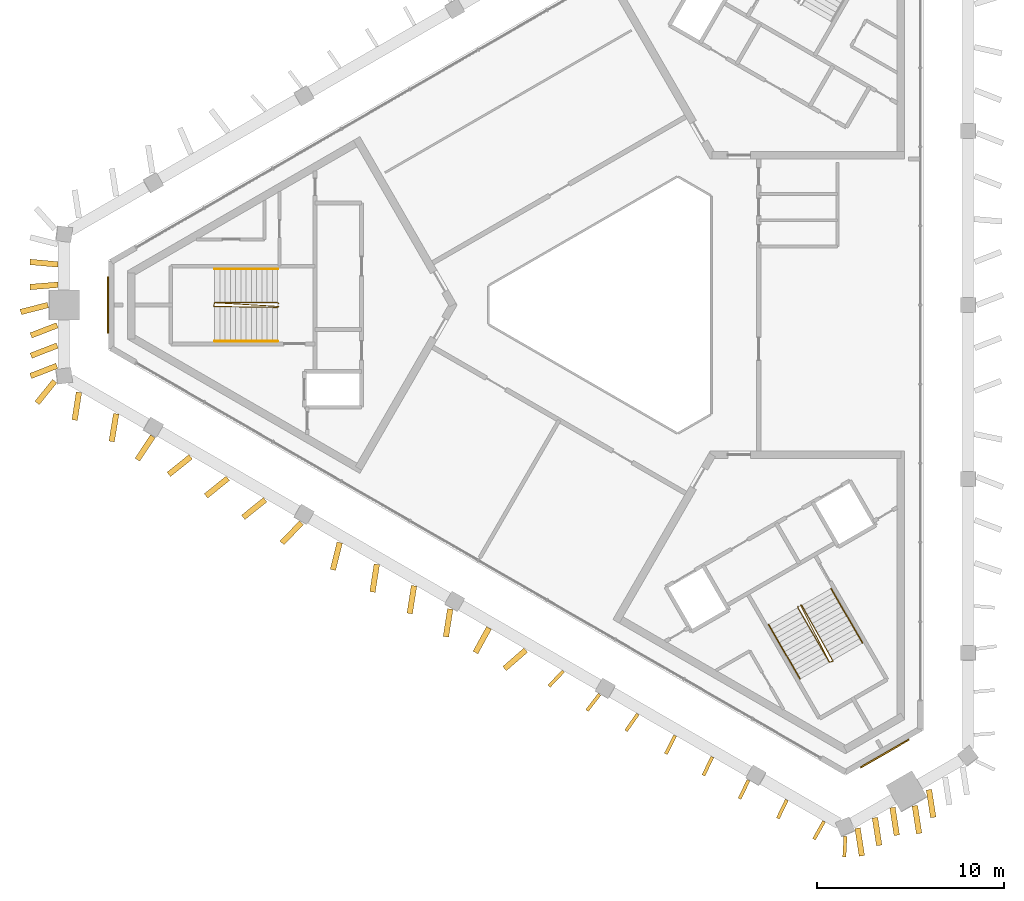
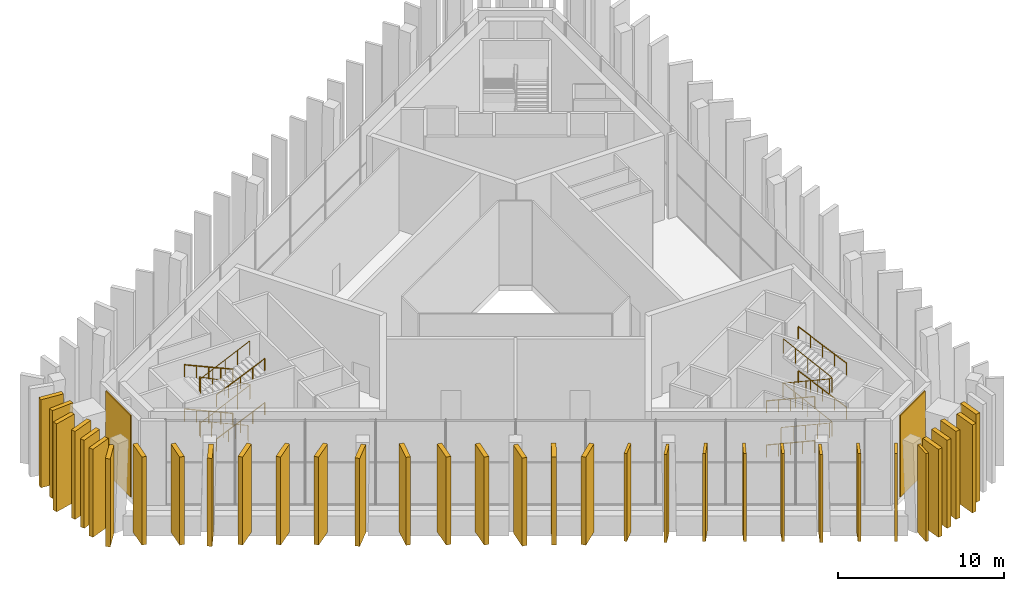
# One storey, part 12 of 13: 34 shading devices, 10 railings, 2 coverings.
"""IFC4 building model written with IfcOpenShell, lengths in metres."""

from ifc_helpers import new_model, si_unit, direction, frame, frame_2d, origin, origin_2d, place, context, subcontext, project, spatial, rectangle, circle, extrude, material, layer, layer_set, type_object, element, save


model = new_model("IFC4")

# Units and contexts
model_context = context("Model", 3, precision=1e-05, world=origin(), true_north=direction((0.0, 1.0)))
body_context = subcontext(model_context, "Body", "Model", "MODEL_VIEW")
ifc_project = project(units=[si_unit("LENGTHUNIT", "METRE"), si_unit("AREAUNIT", "SQUARE_METRE"), si_unit("VOLUMEUNIT", "CUBIC_METRE"), si_unit("PLANEANGLEUNIT", "RADIAN"), si_unit("MASSUNIT", "GRAM", prefix="KILO")], contexts=[model_context])

# Site, building, storey
site_placement = place(None, origin())
site = spatial("IfcSite", under=ifc_project, at=site_placement, CompositionType="ELEMENT")
building_placement = place(site_placement, origin())
building = spatial("IfcBuilding", under=site, at=building_placement, Name="Jabali Bay Hotel Tower and Convention Centre", CompositionType="ELEMENT")
storey_placement = place(building_placement, frame((0.0, 0.0, 315.800048828125)))
storey = spatial("IfcBuildingStorey", under=building, at=storey_placement, Name="L77", CompositionType="ELEMENT", Elevation=315.800048828125)

# Shading devices
ifc_material_1 = material(Name="Precast concrete C60", Category="concrete")
ifc_layer_1 = layer(ifc_material_1, 0.179931640625)
ifc_layer_set_1 = layer_set([ifc_layer_1], Name="Precast concrete C60")
shading_device_type_1 = type_object("IfcShadingDeviceType", Name="Precast fin 6480 x 1100", PredefinedType="USERDEFINED", material=ifc_layer_set_1)
shading_device_1_placement = place(storey_placement, frame((71.6640625, 60.4560546875, 0.010009765625), z_axis=(0.0, 0.0, 1.0), x_axis=(-0.688673631759, -0.725071464698, 0.0)))
element("IfcShadingDevice", 1, at=shading_device_1_placement, inside=storey, type_object=shading_device_type_1, Name="Fin L77 069", ObjectType="FIN", PredefinedType="USERDEFINED", context=body_context, shape_type="SweptSolid", body=[
    extrude(rectangle(XDim=1.10009765625, YDim=0.179931640625, at=frame_2d((0.550048828125, 0.0))), origin(), (0.0, 0.0, 1.0), 6.47998046875),
])
shading_device_2_placement = place(storey_placement, frame((73.601806640625, 59.2236328125, 0.010009765625), z_axis=(0.0, 0.0, 1.0), x_axis=(-0.610847187473, -0.791748516612, 0.0)))
element("IfcShadingDevice", 2, at=shading_device_2_placement, inside=storey, type_object=shading_device_type_1, Name="Fin L77 070", ObjectType="FIN", PredefinedType="USERDEFINED", context=body_context, shape_type="SweptSolid", body=[
    extrude(rectangle(XDim=1.099853515625, YDim=0.179931640625, at=frame_2d((0.5498046875, 0.0))), origin(), (0.0, 0.0, 1.0), 6.47998046875),
])
for number, where, z_axis, x_axis, name in (
    (3, (75.644775390625, 58.17333984375, 0.010009765625), (0.0, 0.0, 1.0), (-0.573000538038, -0.819554991082, 0.0), "Fin L77 071"),
    (4, (77.633056640625, 57.0283203125, 0.010009765625), (0.0, 0.0, 1.0), (-0.449431634171, -0.893314729648, 0.0), "Fin L77 072"),
):
    element("IfcShadingDevice", number, at=place(storey_placement, frame(where, z_axis=z_axis, x_axis=x_axis)), inside=storey, type_object=shading_device_type_1, Name=name, ObjectType="FIN", PredefinedType="USERDEFINED", context=body_context, shape_type="SweptSolid", body=[
        extrude(rectangle(XDim=1.10009765625, YDim=0.179931640625, at=frame_2d((0.550048828125, 0.0))), origin(), (0.0, 0.0, 1.0), 6.47998046875),
    ])
for number, where, z_axis, x_axis, name in (
    (5, (79.619140625, 55.879638671875, 0.010009765625), (0.0, 0.0, 1.0), (-0.43304132225, -0.901374069532, 0.0), "Fin L77 073"),
    (6, (81.55224609375, 54.639404296875, 0.010009765625), (0.0, 0.0, 1.0), (-0.433755548806, -0.901030589869, 0.0), "Fin L77 074"),
):
    element("IfcShadingDevice", number, at=place(storey_placement, frame(where, z_axis=z_axis, x_axis=x_axis)), inside=storey, type_object=shading_device_type_1, Name=name, ObjectType="FIN", PredefinedType="USERDEFINED", context=body_context, shape_type="SweptSolid", body=[
        extrude(rectangle(XDim=1.099853515625, YDim=0.179931640625, at=frame_2d((0.5498046875, 0.0))), origin(), (0.0, 0.0, 1.0), 6.47998046875),
    ])
shading_device_3_placement = place(storey_placement, frame((83.593017578125, 53.58544921875, 0.010009765625), z_axis=(0.0, 0.0, 1.0), x_axis=(-0.434115881841, -0.900857037011, 0.0)))
element("IfcShadingDevice", 7, at=shading_device_3_placement, inside=storey, type_object=shading_device_type_1, Name="Fin L77 075", ObjectType="FIN", PredefinedType="USERDEFINED", context=body_context, shape_type="SweptSolid", body=[
    extrude(rectangle(XDim=1.10009765625, YDim=0.179931640625, at=frame_2d((0.550048828125, 0.0))), origin(), (0.0, 0.0, 1.0), 6.47998046875),
])
shading_device_4_placement = place(storey_placement, frame((85.582763671875, 52.443115234375, 0.010009765625), z_axis=(0.0, 0.0, 1.0), x_axis=(-0.488975058129, -0.872297765977, 0.0)))
element("IfcShadingDevice", 8, at=shading_device_4_placement, inside=storey, type_object=shading_device_type_1, Name="Fin L77 076", ObjectType="FIN", PredefinedType="USERDEFINED", context=body_context, shape_type="SweptSolid", body=[
    extrude(rectangle(XDim=1.099853515625, YDim=0.179931640625, at=frame_2d((0.5498046875, 0.0))), origin(), (0.0, 0.0, 1.0), 6.47998046875),
])
shading_device_5_placement = place(storey_placement, frame((86.72314453125, 51.647705078125, 0.010009765625), z_axis=(0.0, 0.0, 1.0), x_axis=(-0.051929838256, -0.998650735692, 0.0)))
element("IfcShadingDevice", 9, at=shading_device_5_placement, inside=storey, type_object=shading_device_type_1, Name="Fin L77 089", ObjectType="FIN", PredefinedType="USERDEFINED", context=body_context, shape_type="SweptSolid", body=[
    extrude(rectangle(XDim=1.10009765625, YDim=0.179931640625, at=frame_2d((0.550048828125, 0.0))), origin(), (0.0, 0.0, 1.0), 6.47998046875),
])
ifc_layer_2 = layer(ifc_material_1, 0.300048828125)
ifc_layer_set_2 = layer_set([ifc_layer_2], Name="Precast concrete C60")
shading_device_type_2 = type_object("IfcShadingDeviceType", Name="Precast fin 6480 x 1500", PredefinedType="USERDEFINED", material=ifc_layer_set_2)
for number, where, z_axis, x_axis, name in (
    (10, (44.696533203125, 82.163330078125, 0.010009765625), (0.0, 0.0, 1.0), (-0.995808739335, 0.091460126084, 0.0), "Fin L77 050"),
    (11, (44.6982421875, 81.08154296875, 0.010009765625), (0.0, 0.0, 1.0), (-0.996815278536, -0.079745222283, 0.0), "Fin L77 051"),
    (12, (44.16015625, 80.0, 0.010009765625), (0.0, 0.0, 1.0), (-0.968503025559, -0.249001786104, 0.0), "Fin L77 052"),
):
    element("IfcShadingDevice", number, at=place(storey_placement, frame(where, z_axis=z_axis, x_axis=x_axis)), inside=storey, type_object=shading_device_type_2, Name=name, ObjectType="FIN", PredefinedType="USERDEFINED", context=body_context, shape_type="SweptSolid", body=[
        extrude(rectangle(XDim=1.500244140625, YDim=0.300048828125, at=frame_2d((0.75, 0.0))), origin(), (0.0, 0.0, 1.0), 6.47998046875),
    ])
for number, where, z_axis, x_axis, name in (
    (13, (44.65576171875, 78.91845703125, 0.010009765625), (0.0, 0.0, 1.0), (-0.932233597441, -0.361857043323, 0.0), "Fin L77 053"),
    (14, (44.65576171875, 77.836669921875, 0.010009765625), (0.0, 0.0, 1.0), (-0.932233597441, -0.361857043323, 0.0), "Fin L77 054"),
    (15, (44.635498046875, 76.755126953125, 0.010009765625), (0.0, 0.0, 1.0), (-0.932233597441, -0.361857043323, 0.0), "Fin L77 055"),
):
    element("IfcShadingDevice", number, at=place(storey_placement, frame(where, z_axis=z_axis, x_axis=x_axis)), inside=storey, type_object=shading_device_type_2, Name=name, ObjectType="FIN", PredefinedType="USERDEFINED", context=body_context, shape_type="SweptSolid", body=[
        extrude(rectangle(XDim=1.499755859375, YDim=0.300048828125, at=frame_2d((0.75, 0.0))), origin(), (0.0, 0.0, 1.0), 6.47998046875),
    ])
for number, where, z_axis, x_axis, name in (
    (16, (45.817138671875, 75.340576171875, 0.010009765625), (0.0, 0.0, 1.0), (-0.152827640661, -0.988252858458, 0.0), "Fin L77 056"),
    (17, (47.8046875, 74.194580078125, 0.010009765625), (0.0, 0.0, 1.0), (-0.162102399146, -0.986773941788, 0.0), "Fin L77 057"),
    (18, (49.759765625, 72.9921875, 0.010009765625), (0.0, 0.0, 1.0), (-0.552068291916, -0.833798897254, 0.0), "Fin L77 058"),
):
    element("IfcShadingDevice", number, at=place(storey_placement, frame(where, z_axis=z_axis, x_axis=x_axis)), inside=storey, type_object=shading_device_type_2, Name=name, ObjectType="FIN", PredefinedType="USERDEFINED", context=body_context, shape_type="SweptSolid", body=[
        extrude(rectangle(XDim=1.5, YDim=0.300048828125, at=frame_2d((0.75, 0.0))), origin(), (0.0, 0.0, 1.0), 6.47998046875),
    ])
shading_device_6_placement = place(storey_placement, frame((51.77783203125, 71.89892578125, 0.010009765625), z_axis=(0.0, 0.0, 1.0), x_axis=(-0.77953306199, -0.626361082176, 0.0)))
element("IfcShadingDevice", 19, at=shading_device_6_placement, inside=storey, type_object=shading_device_type_2, Name="Fin L77 059", ObjectType="FIN", PredefinedType="USERDEFINED", context=body_context, shape_type="SweptSolid", body=[
    extrude(rectangle(XDim=1.499755859375, YDim=0.300048828125, at=frame_2d((0.75, 0.0))), origin(), (0.0, 0.0, 1.0), 6.47998046875),
])
shading_device_7_placement = place(storey_placement, frame((53.764892578125, 70.751953125, 0.010009765625), z_axis=(0.0, 0.0, 1.0), x_axis=(-0.779453585439, -0.626459981281, 0.0)))
element("IfcShadingDevice", 20, at=shading_device_7_placement, inside=storey, type_object=shading_device_type_2, Name="Fin L77 060", ObjectType="FIN", PredefinedType="USERDEFINED", context=body_context, shape_type="SweptSolid", body=[
    extrude(rectangle(XDim=1.5, YDim=0.300048828125, at=frame_2d((0.75, 0.0))), origin(), (0.0, 0.0, 1.0), 6.47998046875),
])
shading_device_8_placement = place(storey_placement, frame((55.751953125, 69.604736328125, 0.010009765625), z_axis=(0.0, 0.0, 1.0), x_axis=(-0.779517448458, -0.626380513385, 0.0)))
element("IfcShadingDevice", 21, at=shading_device_8_placement, inside=storey, type_object=shading_device_type_2, Name="Fin L77 061", ObjectType="FIN", PredefinedType="USERDEFINED", context=body_context, shape_type="SweptSolid", body=[
    extrude(rectangle(XDim=1.500244140625, YDim=0.300048828125, at=frame_2d((0.75, 0.0))), origin(), (0.0, 0.0, 1.0), 6.47998046875),
])
shading_device_9_placement = place(storey_placement, frame((57.69384765625, 68.379638671875, 0.010009765625), z_axis=(0.0, 0.0, 1.0), x_axis=(-0.696778506626, -0.717286353352, 0.0)))
element("IfcShadingDevice", 22, at=shading_device_9_placement, inside=storey, type_object=shading_device_type_2, Name="Fin L77 062", ObjectType="FIN", PredefinedType="USERDEFINED", context=body_context, shape_type="SweptSolid", body=[
    extrude(rectangle(XDim=1.5, YDim=0.300048828125, at=frame_2d((0.75, 0.0))), origin(), (0.0, 0.0, 1.0), 6.47998046875),
])
for number, where, z_axis, x_axis, name in (
    (23, (59.732177734375, 67.321533203125, 0.010009765625), (0.0, 0.0, 1.0), (-0.242382415413, -0.970180789698, 0.0), "Fin L77 063"),
    (24, (61.712646484375, 66.1630859375, 0.010009765625), (0.0, 0.0, 1.0), (-0.15285222595, -0.988249056171, 0.0), "Fin L77 064"),
):
    element("IfcShadingDevice", number, at=place(storey_placement, frame(where, z_axis=z_axis, x_axis=x_axis)), inside=storey, type_object=shading_device_type_2, Name=name, ObjectType="FIN", PredefinedType="USERDEFINED", context=body_context, shape_type="SweptSolid", body=[
        extrude(rectangle(XDim=1.499755859375, YDim=0.300048828125, at=frame_2d((0.75, 0.0))), origin(), (0.0, 0.0, 1.0), 6.47998046875),
    ])
for number, where, z_axis, x_axis, name in (
    (25, (63.69970703125, 65.01611328125, 0.010009765625), (0.0, 0.0, 1.0), (-0.152986589099, -0.988228264904, 0.0), "Fin L77 065"),
    (26, (65.633056640625, 63.77587890625, 0.010009765625), (0.0, 0.0, 1.0), (-0.154307364521, -0.988022893082, 0.0), "Fin L77 066"),
    (27, (67.69921875, 62.765869140625, 0.010009765625), (0.0, 0.0, 1.0), (-0.481256360099, -0.876579897022, 0.0), "Fin L77 067"),
    (28, (69.663330078125, 61.579345703125, 0.010009765625), (0.0, 0.0, 1.0), (-0.753795470059, -0.65710911523, 0.0), "Fin L77 068"),
    (29, (87.3720703125, 52.081298828125, 0.010009765625), (0.0, 0.0, 1.0), (0.152827640661, -0.988252858458, 0.0), "Fin L77 077"),
    (30, (88.298583984375, 52.6396484375, 0.010009765625), (0.0, 0.0, 1.0), (0.152827640661, -0.988252858458, 0.0), "Fin L77 078"),
    (31, (89.2353515625, 53.180419921875, 0.010009765625), (0.0, 0.0, 1.0), (0.152827640661, -0.988252858458, 0.0), "Fin L77 079"),
):
    element("IfcShadingDevice", number, at=place(storey_placement, frame(where, z_axis=z_axis, x_axis=x_axis)), inside=storey, type_object=shading_device_type_2, Name=name, ObjectType="FIN", PredefinedType="USERDEFINED", context=body_context, shape_type="SweptSolid", body=[
        extrude(rectangle(XDim=1.5, YDim=0.300048828125, at=frame_2d((0.75, 0.0))), origin(), (0.0, 0.0, 1.0), 6.47998046875),
    ])
for number, where, z_axis, x_axis, name in (
    (32, (90.428466796875, 53.277099609375, 0.010009765625), (0.0, 0.0, 1.0), (0.1526932413, -0.988273633191, 0.0), "Fin L77 080"),
    (33, (91.182373046875, 54.13427734375, 0.010009765625), (0.0, 0.0, 1.0), (0.15285222595, -0.988249056171, 0.0), "Fin L77 081"),
):
    element("IfcShadingDevice", number, at=place(storey_placement, frame(where, z_axis=z_axis, x_axis=x_axis)), inside=storey, type_object=shading_device_type_2, Name=name, ObjectType="FIN", PredefinedType="USERDEFINED", context=body_context, shape_type="SweptSolid", body=[
        extrude(rectangle(XDim=1.499755859375, YDim=0.300048828125, at=frame_2d((0.75, 0.0))), origin(), (0.0, 0.0, 1.0), 6.47998046875),
    ])
shading_device_10_placement = place(storey_placement, frame((44.5234375, 75.94091796875, 0.010009765625), z_axis=(0.0, 0.0, 1.0), x_axis=(-0.626459981281, -0.779453585439, 0.0)))
element("IfcShadingDevice", 34, at=shading_device_10_placement, inside=storey, type_object=shading_device_type_2, Name="Fin L77 088", ObjectType="FIN", PredefinedType="USERDEFINED", context=body_context, shape_type="SweptSolid", body=[
    extrude(rectangle(XDim=1.5, YDim=0.300048828125, at=frame_2d((0.75, 0.0))), origin(), (0.0, 0.0, 1.0), 6.47998046875),
])

# Coverings
ifc_material_2 = material(Name="Precast concrete C40/50", Category="concrete")
ifc_layer_3 = layer(ifc_material_2, 0.080078125)
ifc_layer_set_3 = layer_set([ifc_layer_3], Name="Precast concrete C40/50")
covering_type = type_object("IfcCoveringType", Name="Relief panel 3000 x 6000", PredefinedType="CLADDING", material=ifc_layer_set_3)
for number, where, z_axis, x_axis, name in (
    (35, (47.35693359375, 80.0, 0.099853515625), (0.0, 0.0, 1.0), (0.0, 1.0, 0.0), "Relief panel L77"),
    (36, (88.821533203125, 56.060302734375, 0.099853515625), (0.0, 0.0, 1.0), (-0.866025407005, -0.499999994423, 0.0), "Relief panel L77"),
):
    element("IfcCovering", number, at=place(storey_placement, frame(where, z_axis=z_axis, x_axis=x_axis)), inside=storey, type_object=covering_type, Name=name, PredefinedType="CLADDING", context=body_context, shape_type="SweptSolid", body=[
        extrude(rectangle(XDim=3.0, YDim=0.080078125, at=origin_2d()), origin(), (0.0, 0.0, 1.0), 6.0),
    ])

# Railings
ifc_material_3 = material(Name="Steel Q355B", Category="steel")
railing_type_1 = type_object("IfcRailingType", Name="Stair guard 1100", PredefinedType="GUARDRAIL", material=ifc_material_3)
railing_1_placement = place(storey_placement, frame((56.469970703125, 80.074951171875, 0.0)))
element("IfcRailing", 37, at=railing_1_placement, inside=storey, type_object=railing_type_1, Name="L77 ST1 stair guard 1", PredefinedType="GUARDRAIL", context=body_context, shape_type="SweptSolid", body=[
    extrude(circle(Radius=0.02392578125, at=origin_2d()), frame((0.0, 0.0, 1.076171875), z_axis=(-0.34841279274, 0.34841279274, 0.870182194549), x_axis=(-0.707106781187, -0.707106781187, 0.0)), (0.0, 0.0, 1.0), 0.1435546875),
    extrude(circle(Radius=0.02392578125, at=origin_2d()), frame((-0.050048828125, 0.050048828125, 1.201171875), z_axis=(-0.913131707623, 0.0, 0.407664671678), x_axis=(0.0, -1.0, 0.0)), (0.0, 0.0, 1.0), 3.679443359375),
    extrude(circle(Radius=0.02392578125, at=origin_2d()), frame((-3.409912109375, 0.050048828125, 2.701171875), z_axis=(-0.242814311512, -0.970072785993, 0.0), x_axis=(0.970072785993, -0.242814311512, 0.0)), (0.0, 0.0, 1.0), 0.2060546875),
    extrude(circle(Radius=0.02392578125, at=origin_2d()), frame((-3.4599609375, -0.14990234375, 2.701171875), z_axis=(0.90265461063, -0.013248671524, 0.430161744709), x_axis=(0.014675873289, 0.999892303572, 0.0)), (0.0, 0.0, 1.0), 3.777587890625),
    extrude(circle(Radius=0.02392578125, at=origin_2d()), frame((-0.050048828125, -0.199951171875, 4.326171875), z_axis=(0.707106781187, 0.707106781187, 0.0), x_axis=(-0.707106781187, 0.707106781187, 0.0)), (0.0, 0.0, 1.0), 0.07080078125),
    extrude(circle(Radius=0.02392578125, at=origin_2d()), frame((0.0, -0.14990234375, 4.326171875), z_axis=(-0.901471725576, 0.052860696159, 0.429598038622), x_axis=(-0.058537665874, -0.998285200568, 0.0)), (0.0, 0.0, 1.0), 3.78271484375),
    extrude(circle(Radius=0.02392578125, at=origin_2d()), frame((-3.409912109375, 0.050048828125, 5.951171875), z_axis=(-0.242814311512, -0.970072785993, 0.0), x_axis=(0.970072785993, -0.242814311512, 0.0)), (0.0, 0.0, 1.0), 0.2060546875),
    extrude(circle(Radius=0.02392578125, at=origin_2d()), frame((-3.4599609375, -0.14990234375, 5.951171875), z_axis=(0.90265461063, -0.013248671524, 0.430161744709), x_axis=(0.014675873289, 0.999892303572, 0.0)), (0.0, 0.0, 1.0), 3.777587890625),
    extrude(circle(Radius=0.02099609375, at=origin_2d()), origin(), (0.0, 0.0, 1.0), 1.052001953125),
    extrude(circle(Radius=0.02099609375, at=origin_2d()), frame((-0.050048828125, 0.050048828125, 0.125)), (0.0, 0.0, 1.0), 1.052001953125),
    extrude(circle(Radius=0.02099609375, at=origin_2d()), frame((-0.89013671875, 0.050048828125, 0.5)), (0.0, 0.0, 1.0), 1.052001953125),
    extrude(circle(Radius=0.02099609375, at=origin_2d()), frame((-1.72998046875, 0.050048828125, 0.875)), (0.0, 0.0, 1.0), 1.052001953125),
    extrude(circle(Radius=0.02099609375, at=origin_2d()), frame((-2.56982421875, 0.050048828125, 1.25)), (0.0, 0.0, 1.0), 1.052001953125),
    extrude(circle(Radius=0.02099609375, at=origin_2d()), frame((-3.409912109375, 0.050048828125, 1.625)), (0.0, 0.0, 1.0), 1.052001953125),
    extrude(circle(Radius=0.02099609375, at=origin_2d()), frame((-3.4599609375, -0.14990234375, 1.625)), (0.0, 0.0, 1.0), 1.052001953125),
    extrude(circle(Radius=0.02099609375, at=origin_2d()), frame((-2.607421875, -0.162353515625, 2.03125)), (0.0, 0.0, 1.0), 1.052001953125),
    extrude(circle(Radius=0.02099609375, at=origin_2d()), frame((-1.7548828125, -0.1748046875, 2.4375)), (0.0, 0.0, 1.0), 1.052001953125),
    extrude(circle(Radius=0.02099609375, at=origin_2d()), frame((-0.902587890625, -0.1875, 2.84375)), (0.0, 0.0, 1.0), 1.052001953125),
    extrude(circle(Radius=0.02099609375, at=origin_2d()), frame((-0.050048828125, -0.199951171875, 3.25)), (0.0, 0.0, 1.0), 1.052001953125),
    extrude(circle(Radius=0.02099609375, at=origin_2d()), frame((0.0, -0.14990234375, 3.25)), (0.0, 0.0, 1.0), 1.052001953125),
    extrude(circle(Radius=0.02099609375, at=origin_2d()), frame((-0.8525390625, -0.099853515625, 3.65625)), (0.0, 0.0, 1.0), 1.052001953125),
    extrude(circle(Radius=0.02099609375, at=origin_2d()), frame((-1.705078125, -0.0498046875, 4.0625)), (0.0, 0.0, 1.0), 1.052001953125),
    extrude(circle(Radius=0.02099609375, at=origin_2d()), frame((-2.557373046875, 0.0, 4.46875)), (0.0, 0.0, 1.0), 1.052001953125),
    extrude(circle(Radius=0.02099609375, at=origin_2d()), frame((-3.409912109375, 0.050048828125, 4.875)), (0.0, 0.0, 1.0), 1.052001953125),
    extrude(circle(Radius=0.02099609375, at=origin_2d()), frame((-3.4599609375, -0.14990234375, 4.875)), (0.0, 0.0, 1.0), 1.052001953125),
    extrude(circle(Radius=0.02099609375, at=origin_2d()), frame((-2.607421875, -0.162353515625, 5.28125)), (0.0, 0.0, 1.0), 1.052001953125),
    extrude(circle(Radius=0.02099609375, at=origin_2d()), frame((-1.7548828125, -0.1748046875, 5.6875)), (0.0, 0.0, 1.0), 1.052001953125),
    extrude(circle(Radius=0.02099609375, at=origin_2d()), frame((-0.902587890625, -0.1875, 6.09375)), (0.0, 0.0, 1.0), 1.052001953125),
    extrude(circle(Radius=0.02099609375, at=origin_2d()), frame((-0.050048828125, -0.199951171875, 6.5)), (0.0, 0.0, 1.0), 1.052001953125),
])
railing_2_placement = place(storey_placement, frame((84.199951171875, 63.9150390625, 0.0)))
element("IfcRailing", 38, at=railing_2_placement, inside=storey, type_object=railing_type_1, Name="L77 ST3 stair guard 1", PredefinedType="GUARDRAIL", context=body_context, shape_type="SweptSolid", body=[
    extrude(circle(Radius=0.02392578125, at=origin_2d()), frame((0.0, 0.0, 1.076171875), z_axis=(-0.127472697635, -0.475898071169, 0.870213615852), x_axis=(0.965948051503, -0.258736085224, 0.0)), (0.0, 0.0, 1.0), 0.1435546875),
    extrude(circle(Radius=0.02392578125, at=origin_2d()), frame((-0.018310546875, -0.068359375, 1.201171875), z_axis=(0.456624160301, -0.790765292425, 0.407657489231), x_axis=(0.865989548921, 0.500062097304, 0.0)), (0.0, 0.0, 1.0), 3.679443359375),
    extrude(circle(Radius=0.02392578125, at=origin_2d()), frame((1.661865234375, -2.97802734375, 2.701171875), z_axis=(0.961523947641, 0.274721127897, 0.0), x_axis=(-0.274721127897, 0.961523947641, 0.0)), (0.0, 0.0, 1.0), 0.2060546875),
    extrude(circle(Radius=0.02392578125, at=origin_2d()), frame((1.860107421875, -2.92138671875, 2.701171875), z_axis=(-0.439913779971, 0.788316187467, 0.430155151974), x_axis=(-0.873233833246, -0.487301418503, 0.0)), (0.0, 0.0, 1.0), 3.777587890625),
    extrude(circle(Radius=0.02392578125, at=origin_2d()), frame((0.1982421875, 0.056640625, 4.326171875), z_axis=(-0.965948051503, 0.258736085224, 0.0), x_axis=(-0.258736085224, -0.965948051503, 0.0)), (0.0, 0.0, 1.0), 0.07080078125),
    extrude(circle(Radius=0.02392578125, at=origin_2d()), frame((0.1298828125, 0.074951171875, 4.326171875), z_axis=(0.40500480329, -0.807105189665, 0.429595533179), x_axis=(0.89378299928, 0.448499665772, 0.0)), (0.0, 0.0, 1.0), 3.78271484375),
    extrude(circle(Radius=0.02392578125, at=origin_2d()), frame((1.661865234375, -2.97802734375, 5.951171875), z_axis=(0.961523947641, 0.274721127897, 0.0), x_axis=(-0.274721127897, 0.961523947641, 0.0)), (0.0, 0.0, 1.0), 0.2060546875),
    extrude(circle(Radius=0.02392578125, at=origin_2d()), frame((1.860107421875, -2.92138671875, 5.951171875), z_axis=(-0.439913779971, 0.788316187467, 0.430155151974), x_axis=(-0.873233833246, -0.487301418503, 0.0)), (0.0, 0.0, 1.0), 3.777587890625),
    extrude(circle(Radius=0.02099609375, at=origin_2d()), origin(), (0.0, 0.0, 1.0), 1.052001953125),
    extrude(circle(Radius=0.02099609375, at=origin_2d()), frame((-0.018310546875, -0.068359375, 0.125)), (0.0, 0.0, 1.0), 1.052001953125),
    extrude(circle(Radius=0.02099609375, at=origin_2d()), frame((0.40185546875, -0.7958984375, 0.5)), (0.0, 0.0, 1.0), 1.052001953125),
    extrude(circle(Radius=0.02099609375, at=origin_2d()), frame((0.82177734375, -1.523193359375, 0.875)), (0.0, 0.0, 1.0), 1.052001953125),
    extrude(circle(Radius=0.02099609375, at=origin_2d()), frame((1.24169921875, -2.25048828125, 1.25)), (0.0, 0.0, 1.0), 1.052001953125),
    extrude(circle(Radius=0.02099609375, at=origin_2d()), frame((1.661865234375, -2.97802734375, 1.625)), (0.0, 0.0, 1.0), 1.052001953125),
    extrude(circle(Radius=0.02099609375, at=origin_2d()), frame((1.860107421875, -2.92138671875, 1.625)), (0.0, 0.0, 1.0), 1.052001953125),
    extrude(circle(Radius=0.02099609375, at=origin_2d()), frame((1.444580078125, -2.1767578125, 2.03125)), (0.0, 0.0, 1.0), 1.052001953125),
    extrude(circle(Radius=0.02099609375, at=origin_2d()), frame((1.029296875, -1.432373046875, 2.4375)), (0.0, 0.0, 1.0), 1.052001953125),
    extrude(circle(Radius=0.02099609375, at=origin_2d()), frame((0.61376953125, -0.68798828125, 2.84375)), (0.0, 0.0, 1.0), 1.052001953125),
    extrude(circle(Radius=0.02099609375, at=origin_2d()), frame((0.1982421875, 0.056640625, 3.25)), (0.0, 0.0, 1.0), 1.052001953125),
    extrude(circle(Radius=0.02099609375, at=origin_2d()), frame((0.1298828125, 0.074951171875, 3.25)), (0.0, 0.0, 1.0), 1.052001953125),
    extrude(circle(Radius=0.02099609375, at=origin_2d()), frame((0.512939453125, -0.688232421875, 3.65625)), (0.0, 0.0, 1.0), 1.052001953125),
    extrude(circle(Radius=0.02099609375, at=origin_2d()), frame((0.89599609375, -1.45166015625, 4.0625)), (0.0, 0.0, 1.0), 1.052001953125),
    extrude(circle(Radius=0.02099609375, at=origin_2d()), frame((1.27880859375, -2.21484375, 4.46875)), (0.0, 0.0, 1.0), 1.052001953125),
    extrude(circle(Radius=0.02099609375, at=origin_2d()), frame((1.661865234375, -2.97802734375, 4.875)), (0.0, 0.0, 1.0), 1.052001953125),
    extrude(circle(Radius=0.02099609375, at=origin_2d()), frame((1.860107421875, -2.92138671875, 4.875)), (0.0, 0.0, 1.0), 1.052001953125),
    extrude(circle(Radius=0.02099609375, at=origin_2d()), frame((1.444580078125, -2.1767578125, 5.28125)), (0.0, 0.0, 1.0), 1.052001953125),
    extrude(circle(Radius=0.02099609375, at=origin_2d()), frame((1.029296875, -1.432373046875, 5.6875)), (0.0, 0.0, 1.0), 1.052001953125),
    extrude(circle(Radius=0.02099609375, at=origin_2d()), frame((0.61376953125, -0.68798828125, 6.09375)), (0.0, 0.0, 1.0), 1.052001953125),
    extrude(circle(Radius=0.02099609375, at=origin_2d()), frame((0.1982421875, 0.056640625, 6.5)), (0.0, 0.0, 1.0), 1.052001953125),
])
railing_type_2 = type_object("IfcRailingType", Name="Stair handrail 900", PredefinedType="HANDRAIL", material=ifc_material_3)
railing_3_placement = place(storey_placement, frame((56.419921875, 81.925048828125, 0.125)))
element("IfcRailing", 39, at=railing_3_placement, inside=storey, type_object=railing_type_2, Name="L77 ST1 stair handrail 1", PredefinedType="HANDRAIL", context=body_context, shape_type="SweptSolid", body=[
    extrude(circle(Radius=0.02392578125, at=origin_2d()), frame((0.0, 0.0, 0.8759765625), z_axis=(-0.913131707623, 0.0, 0.407664671678), x_axis=(0.0, -1.0, 0.0)), (0.0, 0.0, 1.0), 3.679443359375),
    extrude(circle(Radius=0.02099609375, at=origin_2d()), origin(), (0.0, 0.0, 1.0), 0.851806640625),
    extrude(circle(Radius=0.02099609375, at=origin_2d()), frame((-0.83984375, 0.0, 0.375)), (0.0, 0.0, 1.0), 0.851806640625),
    extrude(circle(Radius=0.02099609375, at=origin_2d()), frame((-1.679931640625, 0.0, 0.75)), (0.0, 0.0, 1.0), 0.851806640625),
    extrude(circle(Radius=0.02099609375, at=origin_2d()), frame((-2.52001953125, 0.0, 1.125)), (0.0, 0.0, 1.0), 0.851806640625),
    extrude(circle(Radius=0.02099609375, at=origin_2d()), frame((-3.35986328125, 0.0, 1.5)), (0.0, 0.0, 1.0), 0.851806640625),
])
railing_4_placement = place(storey_placement, frame((53.06005859375, 78.074951171875, 1.75)))
element("IfcRailing", 40, at=railing_4_placement, inside=storey, type_object=railing_type_2, Name="L77 ST1 stair handrail 2", PredefinedType="HANDRAIL", context=body_context, shape_type="SweptSolid", body=[
    extrude(circle(Radius=0.02392578125, at=origin_2d()), frame((0.0, 0.0, 0.8759765625), z_axis=(0.913131707623, 0.0, 0.407664671678), x_axis=(0.0, 1.0, 0.0)), (0.0, 0.0, 1.0), 3.679443359375),
    extrude(circle(Radius=0.02099609375, at=origin_2d()), origin(), (0.0, 0.0, 1.0), 0.851806640625),
    extrude(circle(Radius=0.02099609375, at=origin_2d()), frame((0.83984375, 0.0, 0.375)), (0.0, 0.0, 1.0), 0.851806640625),
    extrude(circle(Radius=0.02099609375, at=origin_2d()), frame((1.679931640625, 0.0, 0.75)), (0.0, 0.0, 1.0), 0.851806640625),
    extrude(circle(Radius=0.02099609375, at=origin_2d()), frame((2.52001953125, 0.0, 1.125)), (0.0, 0.0, 1.0), 0.851806640625),
    extrude(circle(Radius=0.02099609375, at=origin_2d()), frame((3.35986328125, 0.0, 1.5)), (0.0, 0.0, 1.0), 0.851806640625),
])
railing_5_placement = place(storey_placement, frame((56.419921875, 81.925048828125, 3.375)))
element("IfcRailing", 41, at=railing_5_placement, inside=storey, type_object=railing_type_2, Name="L77 ST1 stair handrail 3", PredefinedType="HANDRAIL", context=body_context, shape_type="SweptSolid", body=[
    extrude(circle(Radius=0.02392578125, at=origin_2d()), frame((0.0, 0.0, 0.8759765625), z_axis=(-0.913131707623, 0.0, 0.407664671678), x_axis=(0.0, -1.0, 0.0)), (0.0, 0.0, 1.0), 3.679443359375),
    extrude(circle(Radius=0.02099609375, at=origin_2d()), origin(), (0.0, 0.0, 1.0), 0.851806640625),
    extrude(circle(Radius=0.02099609375, at=origin_2d()), frame((-0.83984375, 0.0, 0.375)), (0.0, 0.0, 1.0), 0.851806640625),
    extrude(circle(Radius=0.02099609375, at=origin_2d()), frame((-1.679931640625, 0.0, 0.75)), (0.0, 0.0, 1.0), 0.851806640625),
    extrude(circle(Radius=0.02099609375, at=origin_2d()), frame((-2.52001953125, 0.0, 1.125)), (0.0, 0.0, 1.0), 0.851806640625),
    extrude(circle(Radius=0.02099609375, at=origin_2d()), frame((-3.35986328125, 0.0, 1.5)), (0.0, 0.0, 1.0), 0.851806640625),
])
railing_6_placement = place(storey_placement, frame((53.06005859375, 78.074951171875, 5.0)))
element("IfcRailing", 42, at=railing_6_placement, inside=storey, type_object=railing_type_2, Name="L77 ST1 stair handrail 4", PredefinedType="HANDRAIL", context=body_context, shape_type="SweptSolid", body=[
    extrude(circle(Radius=0.02392578125, at=origin_2d()), frame((0.0, 0.0, 0.8759765625), z_axis=(0.913131707623, 0.0, 0.407664671678), x_axis=(0.0, 1.0, 0.0)), (0.0, 0.0, 1.0), 3.679443359375),
    extrude(circle(Radius=0.02099609375, at=origin_2d()), origin(), (0.0, 0.0, 1.0), 0.851806640625),
    extrude(circle(Radius=0.02099609375, at=origin_2d()), frame((0.83984375, 0.0, 0.375)), (0.0, 0.0, 1.0), 0.851806640625),
    extrude(circle(Radius=0.02099609375, at=origin_2d()), frame((1.679931640625, 0.0, 0.75)), (0.0, 0.0, 1.0), 0.851806640625),
    extrude(circle(Radius=0.02099609375, at=origin_2d()), frame((2.52001953125, 0.0, 1.125)), (0.0, 0.0, 1.0), 0.851806640625),
    extrude(circle(Radius=0.02099609375, at=origin_2d()), frame((3.35986328125, 0.0, 1.5)), (0.0, 0.0, 1.0), 0.851806640625),
])
railing_7_placement = place(storey_placement, frame((82.622802734375, 62.94677734375, 0.125)))
element("IfcRailing", 43, at=railing_7_placement, inside=storey, type_object=railing_type_2, Name="L77 ST3 stair handrail 1", PredefinedType="HANDRAIL", context=body_context, shape_type="SweptSolid", body=[
    extrude(circle(Radius=0.02392578125, at=origin_2d()), frame((0.0, 0.0, 0.8759765625), z_axis=(0.456600203173, -0.790790151355, 0.407636101177), x_axis=(0.866007717299, 0.500030632641, 0.0)), (0.0, 0.0, 1.0), 3.6796875),
    extrude(circle(Radius=0.02099609375, at=origin_2d()), origin(), (0.0, 0.0, 1.0), 0.851806640625),
    extrude(circle(Radius=0.02099609375, at=origin_2d()), frame((0.419921875, -0.7275390625, 0.375)), (0.0, 0.0, 1.0), 0.851806640625),
    extrude(circle(Radius=0.02099609375, at=origin_2d()), frame((0.840087890625, -1.455078125, 0.75)), (0.0, 0.0, 1.0), 0.851806640625),
    extrude(circle(Radius=0.02099609375, at=origin_2d()), frame((1.26025390625, -2.182373046875, 1.125)), (0.0, 0.0, 1.0), 0.851806640625),
    extrude(circle(Radius=0.02099609375, at=origin_2d()), frame((1.68017578125, -2.909912109375, 1.5)), (0.0, 0.0, 1.0), 0.851806640625),
])
railing_8_placement = place(storey_placement, frame((87.63720703125, 61.9619140625, 1.75)))
element("IfcRailing", 44, at=railing_8_placement, inside=storey, type_object=railing_type_2, Name="L77 ST3 stair handrail 2", PredefinedType="HANDRAIL", context=body_context, shape_type="SweptSolid", body=[
    extrude(circle(Radius=0.02392578125, at=origin_2d()), frame((0.0, 0.0, 0.8759765625), z_axis=(-0.456600203173, 0.790790151355, 0.407636101177), x_axis=(-0.866007717299, -0.500030632641, 0.0)), (0.0, 0.0, 1.0), 3.6796875),
    extrude(circle(Radius=0.02099609375, at=origin_2d()), origin(), (0.0, 0.0, 1.0), 0.851806640625),
    extrude(circle(Radius=0.02099609375, at=origin_2d()), frame((-0.419921875, 0.7275390625, 0.375)), (0.0, 0.0, 1.0), 0.851806640625),
    extrude(circle(Radius=0.02099609375, at=origin_2d()), frame((-0.840087890625, 1.455078125, 0.75)), (0.0, 0.0, 1.0), 0.851806640625),
    extrude(circle(Radius=0.02099609375, at=origin_2d()), frame((-1.26025390625, 2.182373046875, 1.125)), (0.0, 0.0, 1.0), 0.851806640625),
    extrude(circle(Radius=0.02099609375, at=origin_2d()), frame((-1.68017578125, 2.909912109375, 1.5)), (0.0, 0.0, 1.0), 0.851806640625),
])
railing_9_placement = place(storey_placement, frame((82.622802734375, 62.94677734375, 3.375)))
element("IfcRailing", 45, at=railing_9_placement, inside=storey, type_object=railing_type_2, Name="L77 ST3 stair handrail 3", PredefinedType="HANDRAIL", context=body_context, shape_type="SweptSolid", body=[
    extrude(circle(Radius=0.02392578125, at=origin_2d()), frame((0.0, 0.0, 0.8759765625), z_axis=(0.456600203173, -0.790790151355, 0.407636101177), x_axis=(0.866007717299, 0.500030632641, 0.0)), (0.0, 0.0, 1.0), 3.6796875),
    extrude(circle(Radius=0.02099609375, at=origin_2d()), origin(), (0.0, 0.0, 1.0), 0.851806640625),
    extrude(circle(Radius=0.02099609375, at=origin_2d()), frame((0.419921875, -0.7275390625, 0.375)), (0.0, 0.0, 1.0), 0.851806640625),
    extrude(circle(Radius=0.02099609375, at=origin_2d()), frame((0.840087890625, -1.455078125, 0.75)), (0.0, 0.0, 1.0), 0.851806640625),
    extrude(circle(Radius=0.02099609375, at=origin_2d()), frame((1.26025390625, -2.182373046875, 1.125)), (0.0, 0.0, 1.0), 0.851806640625),
    extrude(circle(Radius=0.02099609375, at=origin_2d()), frame((1.68017578125, -2.909912109375, 1.5)), (0.0, 0.0, 1.0), 0.851806640625),
])
railing_10_placement = place(storey_placement, frame((87.63720703125, 61.9619140625, 5.0)))
element("IfcRailing", 46, at=railing_10_placement, inside=storey, type_object=railing_type_2, Name="L77 ST3 stair handrail 4", PredefinedType="HANDRAIL", context=body_context, shape_type="SweptSolid", body=[
    extrude(circle(Radius=0.02392578125, at=origin_2d()), frame((0.0, 0.0, 0.8759765625), z_axis=(-0.456600203173, 0.790790151355, 0.407636101177), x_axis=(-0.866007717299, -0.500030632641, 0.0)), (0.0, 0.0, 1.0), 3.6796875),
    extrude(circle(Radius=0.02099609375, at=origin_2d()), origin(), (0.0, 0.0, 1.0), 0.851806640625),
    extrude(circle(Radius=0.02099609375, at=origin_2d()), frame((-0.419921875, 0.7275390625, 0.375)), (0.0, 0.0, 1.0), 0.851806640625),
    extrude(circle(Radius=0.02099609375, at=origin_2d()), frame((-0.840087890625, 1.455078125, 0.75)), (0.0, 0.0, 1.0), 0.851806640625),
    extrude(circle(Radius=0.02099609375, at=origin_2d()), frame((-1.26025390625, 2.182373046875, 1.125)), (0.0, 0.0, 1.0), 0.851806640625),
    extrude(circle(Radius=0.02099609375, at=origin_2d()), frame((-1.68017578125, 2.909912109375, 1.5)), (0.0, 0.0, 1.0), 0.851806640625),
])

save(model, "model.ifc")
